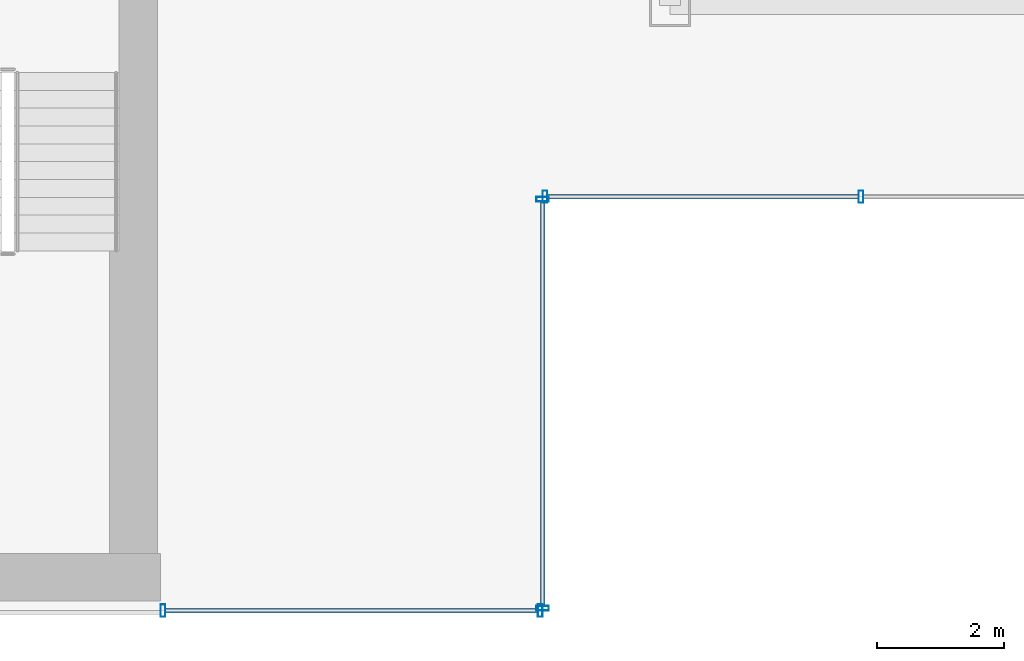
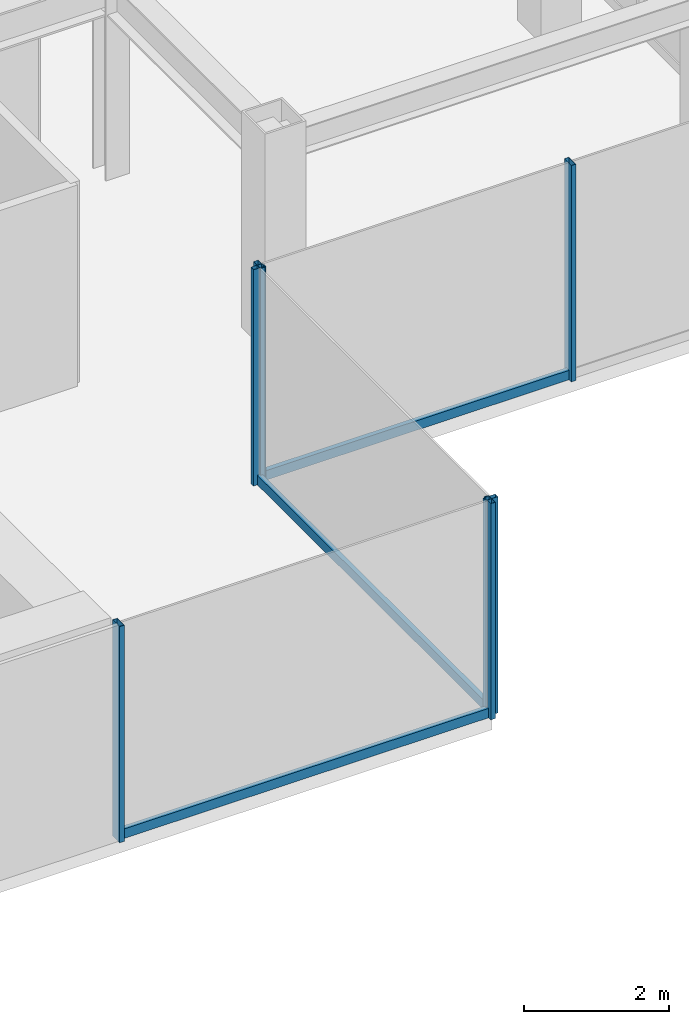
# One storey, part 9 of 25: 9 members, 3 elements without a shape of their own.
"""IFC4 building model written with IfcOpenShell, lengths in metres."""

from ifc_helpers import new_model, si_unit, derived_unit, direction, frame, origin, origin_2d, place, context, subcontext, project, spatial, hollow_rectangle, extrude, source, transform, mapped, material, material_profile, profile_set, type_object, element, aggregate, save


model = new_model("IFC4")

# Units and contexts
model_context = context("Model", 3, precision=1e-05, world=origin(), true_north=direction((0.0, 1.0)))
body_context = subcontext(model_context, "Body", "Model", "MODEL_VIEW")
ifc_project = project(units=[si_unit("LENGTHUNIT", "METRE"), si_unit("AREAUNIT", "SQUARE_METRE"), si_unit("VOLUMEUNIT", "CUBIC_METRE"), si_unit("PLANEANGLEUNIT", "RADIAN"), si_unit("MASSUNIT", "GRAM", prefix="KILO"), derived_unit("THERMALTRANSMITTANCEUNIT", [(si_unit("POWERUNIT", "WATT"), 1), (si_unit("LENGTHUNIT", "METRE"), -2), (si_unit("THERMODYNAMICTEMPERATUREUNIT", "KELVIN"), -1)])], contexts=[model_context])

# Site, building, storey
site_placement = place(None, origin())
site = spatial("IfcSite", under=ifc_project, at=site_placement, CompositionType="ELEMENT")
building_placement = place(site_placement, origin())
building = spatial("IfcBuilding", under=site, at=building_placement, Name="Skarnbrae Concourse Arena and Tower", CompositionType="ELEMENT")
storey_placement = place(building_placement, frame((0.0, 0.0, 144.25)))
storey = spatial("IfcBuildingStorey", under=building, at=storey_placement, Name="L36", CompositionType="ELEMENT", Elevation=144.25)

# Curtain wall, member
ifc_material = material(Name="Bronze anodised aluminium 6063-T6", Category="aluminium")
curtain_wall_type = type_object("IfcCurtainWallType", Name="CW-SYS-04-MIDZONE", PredefinedType="USERDEFINED", material=ifc_material)
curtain_wall_1_placement = place(storey_placement, origin())
curtain_wall_1 = element("IfcCurtainWall", 1, at=curtain_wall_1_placement, inside=storey, type_object=curtain_wall_type, Name="L36 Unitised curtain wall CW-L36-E03", ObjectType="UNITISED CURTAIN WALL", PredefinedType="USERDEFINED")
ifc_material_profile_1 = material_profile(ifc_material, hollow_rectangle(XDim=0.074951171875, YDim=0.159912109375, WallThickness=0.00439453125, at=origin_2d()), Name="ALU-TRAN-75X160")
ifc_profile_set_1 = profile_set([ifc_material_profile_1], Name="Bronze anodised aluminium 6063-T6")
member_type_1 = type_object("IfcMemberType", Name="CWT-CW-04", PredefinedType="USERDEFINED", material=ifc_profile_set_1)
shared_shape_1 = source(origin(), body_context, "Body", "SweptSolid", [
    extrude(hollow_rectangle(XDim=0.074951171875, YDim=0.159912109375, WallThickness=0.00439453125, at=origin_2d()), origin(), (0.0, 0.0, 1.0), 4.887451171875),
])
member_1_placement = place(storey_placement, frame((40.074951171875, 6.5, 0.080078125), z_axis=(1.0, 0.0, 0.0), x_axis=(0.0, 1.0, 0.0)))
member_1 = element("IfcMember", 2, at=member_1_placement, type_object=member_type_1, Name="CW-L36-E03 Transom 1", ObjectType="TRANSOM", PredefinedType="USERDEFINED", context=body_context, shape_type="MappedRepresentation", body=[
    mapped(shared_shape_1, transform((0.0, 0.0, 0.0))),
])

# Curtain wall, members
curtain_wall_2_placement = place(storey_placement, origin())
curtain_wall_2 = element("IfcCurtainWall", 3, at=curtain_wall_2_placement, inside=storey, type_object=curtain_wall_type, Name="L36 Unitised curtain wall CW-L36-SE-SPINE", ObjectType="UNITISED CURTAIN WALL", PredefinedType="USERDEFINED")
ifc_material_profile_2 = material_profile(ifc_material, hollow_rectangle(XDim=0.074951171875, YDim=0.195068359375, WallThickness=0.00439453125, at=origin_2d()), Name="ALU-MULL-75X195")
ifc_profile_set_2 = profile_set([ifc_material_profile_2], Name="Bronze anodised aluminium 6063-T6")
member_type_2 = type_object("IfcMemberType", Name="CWM-CW-04", PredefinedType="MULLION", material=ifc_profile_set_2)
shared_shape_2 = source(origin(), body_context, "Body", "SweptSolid", [
    extrude(hollow_rectangle(XDim=0.074951171875, YDim=0.195068359375, WallThickness=0.00439453125, at=origin_2d()), origin(), (0.0, 0.0, 1.0), 3.64990234375),
])
member_2_placement = place(storey_placement, frame((34.03759765625, 0.0, 0.0), z_axis=(0.0, 0.0, 1.0), x_axis=(1.0, 0.0, 0.0)))
member_2 = element("IfcMember", 4, at=member_2_placement, type_object=member_type_2, Name="CW-L36-SE-SPINE Mullion 1", PredefinedType="MULLION", context=body_context, shape_type="MappedRepresentation", body=[
    mapped(shared_shape_2, transform((0.0, 0.0, 0.0))),
])
member_3_placement = place(storey_placement, frame((39.96240234375, 0.0, 0.0), z_axis=(0.0, 0.0, 1.0), x_axis=(1.0, 0.0, 0.0)))
member_3 = element("IfcMember", 5, at=member_3_placement, type_object=member_type_2, Name="CW-L36-SE-SPINE Mullion 2", PredefinedType="MULLION", context=body_context, shape_type="MappedRepresentation", body=[
    mapped(shared_shape_2, transform((0.0, 0.0, 0.0))),
])

curtain_wall_3_placement = place(storey_placement, origin())
curtain_wall_3 = element("IfcCurtainWall", 6, at=curtain_wall_3_placement, inside=storey, type_object=curtain_wall_type, Name="L36 Unitised curtain wall CW-L36-E02", ObjectType="UNITISED CURTAIN WALL", PredefinedType="USERDEFINED")
member_4_placement = place(storey_placement, frame((40.0, 0.03759765625, 0.0), z_axis=(0.0, 0.0, 1.0), x_axis=(0.0, 1.0, 0.0)))
member_4 = element("IfcMember", 7, at=member_4_placement, type_object=member_type_2, Name="CW-L36-E02 Mullion 1", PredefinedType="MULLION", context=body_context, shape_type="MappedRepresentation", body=[
    mapped(shared_shape_2, transform((0.0, 0.0, 0.0))),
])
member_5_placement = place(storey_placement, frame((40.0, 6.46240234375, 0.0), z_axis=(0.0, 0.0, 1.0), x_axis=(0.0, 1.0, 0.0)))
member_5 = element("IfcMember", 8, at=member_5_placement, type_object=member_type_2, Name="CW-L36-E02 Mullion 2", PredefinedType="MULLION", context=body_context, shape_type="MappedRepresentation", body=[
    mapped(shared_shape_2, transform((0.0, 0.0, 0.0))),
])

# Member
member_6_placement = place(storey_placement, frame((40.03759765625, 6.5, 0.0), z_axis=(0.0, 0.0, 1.0), x_axis=(1.0, 0.0, 0.0)))
member_6 = element("IfcMember", 9, at=member_6_placement, type_object=member_type_2, Name="CW-L36-E03 Mullion 1", PredefinedType="MULLION", context=body_context, shape_type="MappedRepresentation", body=[
    mapped(shared_shape_2, transform((0.0, 0.0, 0.0))),
])

member_7_placement = place(storey_placement, frame((45.0, 6.5, 0.0), z_axis=(0.0, 0.0, 1.0), x_axis=(1.0, 0.0, 0.0)))
member_7 = element("IfcMember", 10, at=member_7_placement, type_object=member_type_2, Name="CW-L36-E03 Mullion 2", PredefinedType="MULLION", context=body_context, shape_type="MappedRepresentation", body=[
    mapped(shared_shape_2, transform((0.0, 0.0, 0.0))),
])

aggregate(curtain_wall_1, [member_6, member_7, member_1])

shared_shape_3 = source(origin(), body_context, "Body", "SweptSolid", [
    extrude(hollow_rectangle(XDim=0.074951171875, YDim=0.159912109375, WallThickness=0.00439453125, at=origin_2d()), origin(), (0.0, 0.0, 1.0), 5.85009765625),
])
member_8_placement = place(storey_placement, frame((34.074951171875, 0.0, 0.080078125), z_axis=(1.0, 0.0, 0.0), x_axis=(0.0, 1.0, 0.0)))
member_8 = element("IfcMember", 11, at=member_8_placement, type_object=member_type_1, Name="CW-L36-SE-SPINE Transom 1", ObjectType="TRANSOM", PredefinedType="USERDEFINED", context=body_context, shape_type="MappedRepresentation", body=[
    mapped(shared_shape_3, transform((0.0, 0.0, 0.0))),
])

aggregate(curtain_wall_2, [member_2, member_3, member_8])

shared_shape_4 = source(origin(), body_context, "Body", "SweptSolid", [
    extrude(hollow_rectangle(XDim=0.074951171875, YDim=0.159912109375, WallThickness=0.00439453125, at=origin_2d()), origin(), (0.0, 0.0, 1.0), 6.35009765625),
])
member_9_placement = place(storey_placement, frame((40.0, 0.074951171875, 0.080078125), z_axis=(0.0, 1.0, 0.0), x_axis=(-1.0, 0.0, 0.0)))
member_9 = element("IfcMember", 12, at=member_9_placement, type_object=member_type_1, Name="CW-L36-E02 Transom 1", ObjectType="TRANSOM", PredefinedType="USERDEFINED", context=body_context, shape_type="MappedRepresentation", body=[
    mapped(shared_shape_4, transform((0.0, 0.0, 0.0))),
])

aggregate(curtain_wall_3, [member_4, member_5, member_9])

save(model, "model.ifc")
